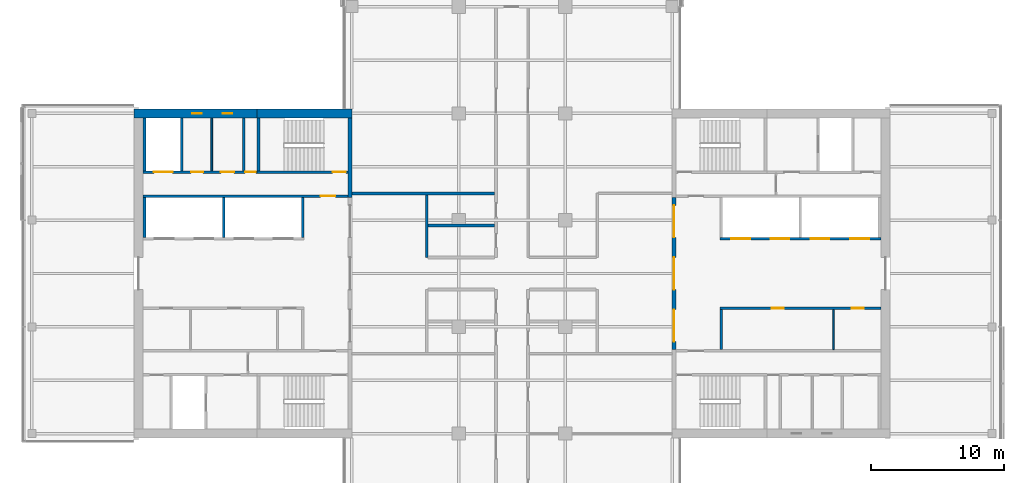
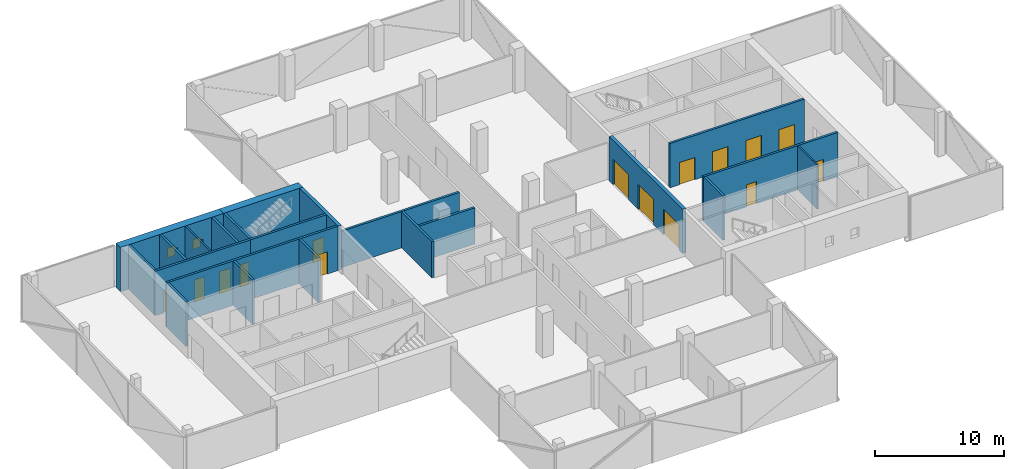
# One storey, part 15 of 22: 22 walls, 15 doors, 2 windows, 17 openings.
"""IFC4 building model written with IfcOpenShell, lengths in metres."""

from ifc_helpers import new_model, si_unit, direction, frame, frame_2d, origin, place, context, subcontext, project, spatial, rectangle, extrude, material, layer, layer_set, constituent, constituent_set, type_object, element, fill, save


model = new_model("IFC4")

# Units and contexts
model_context = context("Model", 3, precision=1e-05, world=origin(), true_north=direction((0.0, 1.0)))
body_context = subcontext(model_context, "Body", "Model", "MODEL_VIEW")
ifc_project = project(units=[si_unit("LENGTHUNIT", "METRE"), si_unit("AREAUNIT", "SQUARE_METRE"), si_unit("VOLUMEUNIT", "CUBIC_METRE"), si_unit("PLANEANGLEUNIT", "RADIAN"), si_unit("MASSUNIT", "GRAM", prefix="KILO")], contexts=[model_context])

# Site, building, storey
site_placement = place(None, origin())
site = spatial("IfcSite", under=ifc_project, at=site_placement, CompositionType="ELEMENT")
building_placement = place(site_placement, origin())
building = spatial("IfcBuilding", under=site, at=building_placement, Name="Crosswind Convention Tower", CompositionType="ELEMENT")
storey_placement = place(building_placement, frame((0.0, 0.0, 121.10009765625)))
storey = spatial("IfcBuildingStorey", under=building, at=storey_placement, Name="L24", CompositionType="ELEMENT", Elevation=121.10009765625)

# Walls
ifc_material_1 = material(Name="Concrete blockwork", Category="masonry")
ifc_layer_1 = layer(ifc_material_1, 0.199951171875)
ifc_layer_set_1 = layer_set([ifc_layer_1], Name="Blockwork partition wall 200")
wall_type_1 = type_object("IfcWallType", Name="Blockwork partition wall 200", PredefinedType="PARTITIONING", material=ifc_layer_set_1)
wall_1_placement = place(storey_placement, frame((104.89990234375, 111.64990234375, 0.0), z_axis=(0.0, 0.0, 1.0), x_axis=(0.0, -1.0, 0.0)))
element("IfcWall", 1, at=wall_1_placement, inside=storey, type_object=wall_type_1, Name="Wall MRSE W L24", PredefinedType="PARTITIONING", context=body_context, shape_type="SweptSolid", body=[
    extrude(rectangle(XDim=3.949951171875, YDim=0.199951171875, at=frame_2d((1.97509765625, 0.0))), origin(), (0.0, 0.0, 1.0), 4.199951171875),
])
ifc_layer_2 = layer(ifc_material_1, 0.199951171875)
ifc_layer_set_2 = layer_set([ifc_layer_2], Name="COMPARTMENT WALL 200 BLOCKWORK")
wall_type_2 = type_object("IfcWallType", Name="COMPARTMENT WALL 200 BLOCKWORK", PredefinedType="SOLIDWALL", material=ifc_layer_set_2)
wall_2_placement = place(storey_placement, frame((118.60009765625, 101.199951171875, 0.0), z_axis=(0.0, 0.0, 1.0), x_axis=(0.0, 1.0, 0.0)))
element("IfcWall", 2, at=wall_2_placement, inside=storey, type_object=wall_type_2, Name="Compartment wall WT42", PredefinedType="SOLIDWALL", context=body_context, shape_type="SweptSolid", body=[
    extrude(rectangle(XDim=4.699951171875, YDim=0.199951171875, at=frame_2d((2.35009765625, 0.0))), origin(), (0.0, 0.0, 1.0), 3.436279296875),
])
wall_3_placement = place(storey_placement, frame((118.699951171875, 103.60009765625, 0.0), z_axis=(0.0, 0.0, 1.0), x_axis=(1.0, 0.0, 0.0)))
element("IfcWall", 3, at=wall_3_placement, inside=storey, type_object=wall_type_2, Name="Compartment wall WT42", PredefinedType="SOLIDWALL", context=body_context, shape_type="SweptSolid", body=[
    extrude(rectangle(XDim=5.0, YDim=0.199951171875, at=frame_2d((2.5, 0.0))), origin(), (0.0, 0.0, 1.0), 3.436279296875),
])
wall_4_placement = place(storey_placement, frame((113.0, 106.0, 0.0), z_axis=(0.0, 0.0, 1.0), x_axis=(1.0, 0.0, 0.0)))
element("IfcWall", 4, at=wall_4_placement, inside=storey, type_object=wall_type_2, Name="Compartment wall WT42", PredefinedType="SOLIDWALL", context=body_context, shape_type="SweptSolid", body=[
    extrude(rectangle(XDim=10.699951171875, YDim=0.199951171875, at=frame_2d((5.35009765625, 0.0))), origin(), (0.0, 0.0, 1.0), 3.436279296875),
])

# Wall, openings, doors
ifc_material_2 = material(Name="Concrete C50/60", Category="concrete")
ifc_layer_3 = layer(ifc_material_2, 0.300048828125)
ifc_layer_set_3 = layer_set([ifc_layer_3], Name="Concrete C50/60")
wall_type_3 = type_object("IfcWallType", Name="Concrete inner core wall 300", PredefinedType="SHEAR", material=ifc_layer_set_3)
wall_5_placement = place(storey_placement, frame((137.14990234375, 94.300048828125, 0.0), z_axis=(0.0, 0.0, 1.0), x_axis=(0.0, 1.0, 0.0)))
wall_5 = element("IfcWall", 5, at=wall_5_placement, inside=storey, type_object=wall_type_3, Name="Wall SCR E L24", PredefinedType="SHEAR", context=body_context, shape_type="SweptSolid", body=[
    extrude(rectangle(XDim=11.39990234375, YDim=0.300048828125, at=frame_2d((5.699951171875, 0.0))), origin(), (0.0, 0.0, 1.0), 4.199951171875),
])
opening_1_placement = place(wall_5_placement, frame((0.60009765625, 0.0, 0.0)))
opening_1 = element("IfcOpeningElement", 6, at=opening_1_placement, cuts=wall_5, Name="Opening D100", PredefinedType="OPENING", context=body_context, shape_type="SweptSolid", body=[
    extrude(rectangle(XDim=2.39990234375, YDim=2.39990234375, at=frame_2d((1.199951171875, 1.199951171875))), frame((0.0, 0.159912109375, 0.0), z_axis=(0.0, -1.0, 0.0), x_axis=(1.0, 0.0, 0.0)), (0.0, 0.0, 1.0), 0.320068359375),
])
opening_2_placement = place(wall_5_placement, frame((4.5, 0.0, 0.0)))
opening_2 = element("IfcOpeningElement", 7, at=opening_2_placement, cuts=wall_5, Name="Opening D100", PredefinedType="OPENING", context=body_context, shape_type="SweptSolid", body=[
    extrude(rectangle(XDim=2.39990234375, YDim=2.39990234375, at=frame_2d((1.199951171875, 1.199951171875))), frame((0.0, 0.159912109375, 0.0), z_axis=(0.0, -1.0, 0.0), x_axis=(1.0, 0.0, 0.0)), (0.0, 0.0, 1.0), 0.320068359375),
])
opening_3_placement = place(wall_5_placement, frame((8.39990234375, 0.0, 0.0)))
opening_3 = element("IfcOpeningElement", 8, at=opening_3_placement, cuts=wall_5, Name="Opening D100", PredefinedType="OPENING", context=body_context, shape_type="SweptSolid", body=[
    extrude(rectangle(XDim=2.39990234375, YDim=2.39990234375, at=frame_2d((1.199951171875, 1.199951171875))), frame((0.0, 0.159912109375, 0.0), z_axis=(0.0, -1.0, 0.0), x_axis=(1.0, 0.0, 0.0)), (0.0, 0.0, 1.0), 0.320068359375),
])
ifc_material_3 = material(Name="Steel fire door with glazed vision panels", Category="steel")
door_type_1 = type_object("IfcDoorType", Name="Fire-rated double door 2400x2400", OperationType="DOUBLE_DOOR_SINGLE_SWING", PredefinedType="DOOR", material=ifc_material_3)
door_1_placement = place(opening_1_placement, origin())
door_1 = element("IfcDoor", 9, at=door_1_placement, inside=storey, type_object=door_type_1, Name="Lobby door 1 L24", ObjectType="D100", OperationType="DOUBLE_DOOR_SINGLE_SWING", OverallHeight=2.39990234375, OverallWidth=2.39990234375, PredefinedType="DOOR", context=body_context, shape_type="SweptSolid", body=[
    extrude(rectangle(XDim=2.39990234375, YDim=2.39990234375, at=frame_2d((1.199951171875, 1.199951171875))), frame((0.0, 0.02490234375, 0.0), z_axis=(0.0, -1.0, 0.0), x_axis=(1.0, 0.0, 0.0)), (0.0, 0.0, 1.0), 0.050048828125),
])
fill(opening_1, door_1)
door_2_placement = place(opening_2_placement, origin())
door_2 = element("IfcDoor", 10, at=door_2_placement, inside=storey, type_object=door_type_1, Name="Lobby door 2 L24", ObjectType="D100", OperationType="DOUBLE_DOOR_SINGLE_SWING", OverallHeight=2.39990234375, OverallWidth=2.39990234375, PredefinedType="DOOR", context=body_context, shape_type="SweptSolid", body=[
    extrude(rectangle(XDim=2.39990234375, YDim=2.39990234375, at=frame_2d((1.199951171875, 1.199951171875))), frame((0.0, 0.02490234375, 0.0), z_axis=(0.0, -1.0, 0.0), x_axis=(1.0, 0.0, 0.0)), (0.0, 0.0, 1.0), 0.050048828125),
])
fill(opening_2, door_2)
door_3_placement = place(opening_3_placement, origin())
door_3 = element("IfcDoor", 11, at=door_3_placement, inside=storey, type_object=door_type_1, Name="Lobby door 3 L24", ObjectType="D100", OperationType="DOUBLE_DOOR_SINGLE_SWING", OverallHeight=2.39990234375, OverallWidth=2.39990234375, PredefinedType="DOOR", context=body_context, shape_type="SweptSolid", body=[
    extrude(rectangle(XDim=2.39990234375, YDim=2.39990234375, at=frame_2d((1.199951171875, 1.199951171875))), frame((0.0, 0.02490234375, 0.0), z_axis=(0.0, -1.0, 0.0), x_axis=(1.0, 0.0, 0.0)), (0.0, 0.0, 1.0), 0.050048828125),
])
fill(opening_3, door_3)

# Wall
wall_6_placement = place(storey_placement, frame((112.85009765625, 111.64990234375, 0.0), z_axis=(0.0, 0.0, 1.0), x_axis=(0.0, -1.0, 0.0)))
element("IfcWall", 12, at=wall_6_placement, inside=storey, type_object=wall_type_3, Name="Wall EM W L24", PredefinedType="SHEAR", context=body_context, shape_type="SweptSolid", body=[
    extrude(rectangle(XDim=5.949951171875, YDim=0.300048828125, at=frame_2d((2.97509765625, 0.0))), origin(), (0.0, 0.0, 1.0), 4.199951171875),
])

# Wall, openings, doors
ifc_layer_4 = layer(ifc_material_2, 0.199951171875)
ifc_layer_set_4 = layer_set([ifc_layer_4], Name="Concrete C50/60")
wall_type_4 = type_object("IfcWallType", Name="Concrete shaft and stair wall 200", PredefinedType="SHEAR", material=ifc_layer_set_4)
wall_7_placement = place(storey_placement, frame((140.60009765625, 102.60009765625, 0.0), z_axis=(0.0, 0.0, 1.0), x_axis=(1.0, 0.0, 0.0)))
wall_7 = element("IfcWall", 13, at=wall_7_placement, inside=storey, type_object=wall_type_4, Name="Wall RPFRONT E L24", PredefinedType="SHEAR", context=body_context, shape_type="SweptSolid", body=[
    extrude(rectangle(XDim=12.0498046875, YDim=0.199951171875, at=frame_2d((6.02490234375, 0.0))), origin(), (0.0, 0.0, 1.0), 4.199951171875),
])
opening_4_placement = place(wall_7_placement, frame((0.85009765625, 0.0, 0.0)))
opening_4 = element("IfcOpeningElement", 14, at=opening_4_placement, cuts=wall_7, Name="Opening LD2", PredefinedType="OPENING", context=body_context, shape_type="SweptSolid", body=[
    extrude(rectangle(XDim=1.39990234375, YDim=2.10009765625, at=frame_2d((0.699951171875, 1.050048828125))), frame((0.0, 0.10986328125, 0.0), z_axis=(0.0, -1.0, 0.0), x_axis=(1.0, 0.0, 0.0)), (0.0, 0.0, 1.0), 0.219970703125),
])
opening_5_placement = place(wall_7_placement, frame((3.800048828125, 0.0, 0.0)))
opening_5 = element("IfcOpeningElement", 15, at=opening_5_placement, cuts=wall_7, Name="Opening LD2", PredefinedType="OPENING", context=body_context, shape_type="SweptSolid", body=[
    extrude(rectangle(XDim=1.39990234375, YDim=2.10009765625, at=frame_2d((0.699951171875, 1.050048828125))), frame((0.0, 0.10986328125, 0.0), z_axis=(0.0, -1.0, 0.0), x_axis=(1.0, 0.0, 0.0)), (0.0, 0.0, 1.0), 0.219970703125),
])
opening_6_placement = place(wall_7_placement, frame((6.800048828125, 0.0, 0.0)))
opening_6 = element("IfcOpeningElement", 16, at=opening_6_placement, cuts=wall_7, Name="Opening LD2", PredefinedType="OPENING", context=body_context, shape_type="SweptSolid", body=[
    extrude(rectangle(XDim=1.39990234375, YDim=2.10009765625, at=frame_2d((0.699951171875, 1.050048828125))), frame((0.0, 0.10986328125, 0.0), z_axis=(0.0, -1.0, 0.0), x_axis=(1.0, 0.0, 0.0)), (0.0, 0.0, 1.0), 0.219970703125),
])
opening_7_placement = place(wall_7_placement, frame((9.77490234375, 0.0, 0.0)))
opening_7 = element("IfcOpeningElement", 17, at=opening_7_placement, cuts=wall_7, Name="Opening LD2", PredefinedType="OPENING", context=body_context, shape_type="SweptSolid", body=[
    extrude(rectangle(XDim=1.39990234375, YDim=2.10009765625, at=frame_2d((0.699951171875, 1.050048828125))), frame((0.0, 0.10986328125, 0.0), z_axis=(0.0, -1.0, 0.0), x_axis=(1.0, 0.0, 0.0)), (0.0, 0.0, 1.0), 0.219970703125),
])
ifc_material_4 = material(Name="Stainless steel", Category="steel")
door_type_2 = type_object("IfcDoorType", Name="Lift landing door 1400x2100", OperationType="DOUBLE_DOOR_SLIDING", PredefinedType="DOOR", material=ifc_material_4)
door_4_placement = place(opening_4_placement, origin())
door_4 = element("IfcDoor", 18, at=door_4_placement, inside=storey, type_object=door_type_2, Name="Landing door A1 L24", ObjectType="LD2", OperationType="DOUBLE_DOOR_SLIDING", OverallHeight=2.10009765625, OverallWidth=1.39990234375, PredefinedType="DOOR", context=body_context, shape_type="SweptSolid", body=[
    extrude(rectangle(XDim=1.39990234375, YDim=2.10009765625, at=frame_2d((0.699951171875, 1.050048828125))), frame((0.0, 0.02490234375, 0.0), z_axis=(0.0, -1.0, 0.0), x_axis=(1.0, 0.0, 0.0)), (0.0, 0.0, 1.0), 0.050048828125),
])
fill(opening_4, door_4)
door_5_placement = place(opening_5_placement, origin())
door_5 = element("IfcDoor", 19, at=door_5_placement, inside=storey, type_object=door_type_2, Name="Landing door A2 L24", ObjectType="LD2", OperationType="DOUBLE_DOOR_SLIDING", OverallHeight=2.10009765625, OverallWidth=1.39990234375, PredefinedType="DOOR", context=body_context, shape_type="SweptSolid", body=[
    extrude(rectangle(XDim=1.39990234375, YDim=2.10009765625, at=frame_2d((0.699951171875, 1.050048828125))), frame((0.0, 0.02490234375, 0.0), z_axis=(0.0, -1.0, 0.0), x_axis=(1.0, 0.0, 0.0)), (0.0, 0.0, 1.0), 0.050048828125),
])
fill(opening_5, door_5)
door_6_placement = place(opening_6_placement, origin())
door_6 = element("IfcDoor", 20, at=door_6_placement, inside=storey, type_object=door_type_2, Name="Landing door A3 L24", ObjectType="LD2", OperationType="DOUBLE_DOOR_SLIDING", OverallHeight=2.10009765625, OverallWidth=1.39990234375, PredefinedType="DOOR", context=body_context, shape_type="SweptSolid", body=[
    extrude(rectangle(XDim=1.39990234375, YDim=2.10009765625, at=frame_2d((0.699951171875, 1.050048828125))), frame((0.0, 0.02490234375, 0.0), z_axis=(0.0, -1.0, 0.0), x_axis=(1.0, 0.0, 0.0)), (0.0, 0.0, 1.0), 0.050048828125),
])
fill(opening_6, door_6)
door_7_placement = place(opening_7_placement, origin())
door_7 = element("IfcDoor", 21, at=door_7_placement, inside=storey, type_object=door_type_2, Name="Landing door A4 L24", ObjectType="LD2", OperationType="DOUBLE_DOOR_SLIDING", OverallHeight=2.10009765625, OverallWidth=1.39990234375, PredefinedType="DOOR", context=body_context, shape_type="SweptSolid", body=[
    extrude(rectangle(XDim=1.39990234375, YDim=2.10009765625, at=frame_2d((0.699951171875, 1.050048828125))), frame((0.0, 0.02490234375, 0.0), z_axis=(0.0, -1.0, 0.0), x_axis=(1.0, 0.0, 0.0)), (0.0, 0.0, 1.0), 0.050048828125),
])
fill(opening_7, door_7)

# Wall
wall_8_placement = place(storey_placement, frame((140.699951171875, 94.300048828125, 0.0), z_axis=(0.0, 0.0, 1.0), x_axis=(0.0, 1.0, 0.0)))
element("IfcWall", 22, at=wall_8_placement, inside=storey, type_object=wall_type_4, Name="Wall RMEND E L24", PredefinedType="SHEAR", context=body_context, shape_type="SweptSolid", body=[
    extrude(rectangle(XDim=3.0, YDim=0.199951171875, at=frame_2d((1.5, 0.0))), origin(), (0.0, 0.0, 1.0), 4.199951171875),
])

# Wall, openings, doors
wall_9_placement = place(storey_placement, frame((140.60009765625, 97.39990234375, 0.0), z_axis=(0.0, 0.0, 1.0), x_axis=(1.0, 0.0, 0.0)))
wall_9 = element("IfcWall", 23, at=wall_9_placement, inside=storey, type_object=wall_type_4, Name="Wall RMFRONT E L24", PredefinedType="SHEAR", context=body_context, shape_type="SweptSolid", body=[
    extrude(rectangle(XDim=12.0498046875, YDim=0.199951171875, at=frame_2d((6.02490234375, 0.0))), origin(), (0.0, 0.0, 1.0), 4.199951171875),
])
opening_8_placement = place(wall_9_placement, frame((3.8662109375, 0.0, 0.0)))
opening_8 = element("IfcOpeningElement", 24, at=opening_8_placement, cuts=wall_9, Name="Opening D106", PredefinedType="OPENING", context=body_context, shape_type="SweptSolid", body=[
    extrude(rectangle(XDim=0.89990234375, YDim=2.10009765625, at=frame_2d((0.449951171875, 1.050048828125))), frame((0.0, 0.10986328125, 0.0), z_axis=(0.0, -1.0, 0.0), x_axis=(1.0, 0.0, 0.0)), (0.0, 0.0, 1.0), 0.219970703125),
])
opening_9_placement = place(wall_9_placement, frame((9.853759765625, 0.0, 0.0)))
opening_9 = element("IfcOpeningElement", 25, at=opening_9_placement, cuts=wall_9, Name="Opening D106", PredefinedType="OPENING", context=body_context, shape_type="SweptSolid", body=[
    extrude(rectangle(XDim=0.89990234375, YDim=2.10009765625, at=frame_2d((0.449951171875, 1.050048828125))), frame((0.0, 0.10986328125, 0.0), z_axis=(0.0, -1.0, 0.0), x_axis=(1.0, 0.0, 0.0)), (0.0, 0.0, 1.0), 0.219970703125),
])
ifc_material_5 = material(Name="Timber door", Category="wood")
door_type_3 = type_object("IfcDoorType", Name="Single leaf door 900x2100", OperationType="NOTDEFINED", PredefinedType="DOOR", material=ifc_material_5)
door_8_placement = place(opening_8_placement, frame((0.89990234375, 0.0, 0.0), z_axis=(0.0, 0.0, 1.0), x_axis=(-1.0, 0.0, 0.0)))
door_8 = element("IfcDoor", 26, at=door_8_placement, inside=storey, type_object=door_type_3, Name="Door to pantry L24", ObjectType="D106", OperationType="SINGLE_SWING_LEFT", OverallHeight=2.10009765625, OverallWidth=0.89990234375, PredefinedType="DOOR", context=body_context, shape_type="SweptSolid", body=[
    extrude(rectangle(XDim=0.89990234375, YDim=2.10009765625, at=frame_2d((0.449951171875, 1.050048828125))), frame((0.0, 0.02490234375, 0.0), z_axis=(0.0, -1.0, 0.0), x_axis=(1.0, 0.0, 0.0)), (0.0, 0.0, 1.0), 0.050048828125),
])
fill(opening_8, door_8)
door_9_placement = place(opening_9_placement, frame((0.89990234375, 0.0, 0.0), z_axis=(0.0, 0.0, 1.0), x_axis=(-1.0, 0.0, 0.0)))
door_9 = element("IfcDoor", 27, at=door_9_placement, inside=storey, type_object=door_type_3, Name="Door to telecoms room L24", ObjectType="D106", OperationType="SINGLE_SWING_LEFT", OverallHeight=2.10009765625, OverallWidth=0.89990234375, PredefinedType="DOOR", context=body_context, shape_type="SweptSolid", body=[
    extrude(rectangle(XDim=0.89990234375, YDim=2.10009765625, at=frame_2d((0.449951171875, 1.050048828125))), frame((0.0, 0.02490234375, 0.0), z_axis=(0.0, -1.0, 0.0), x_axis=(1.0, 0.0, 0.0)), (0.0, 0.0, 1.0), 0.050048828125),
])
fill(opening_9, door_9)

# Walls
for number, where, z_axis, x_axis, name in (
    (28, (109.300048828125, 105.699951171875, 0.0), (0.0, 0.0, 1.0), (0.0, -1.0, 0.0), "Wall RMEND W L24"),
    (29, (103.39990234375, 105.699951171875, 0.0), (0.0, 0.0, 1.0), (0.0, -1.0, 0.0), "Wall RMSEP W L24"),
    (30, (97.449951171875, 105.699951171875, 0.0), (0.0, 0.0, 1.0), (0.0, -1.0, 0.0), "Wall RMEAST W L24"),
):
    element("IfcWall", number, at=place(storey_placement, frame(where, z_axis=z_axis, x_axis=x_axis)), inside=storey, type_object=wall_type_4, Name=name, PredefinedType="SHEAR", context=body_context, shape_type="SweptSolid", body=[
        extrude(rectangle(XDim=3.0, YDim=0.199951171875, at=frame_2d((1.5, 0.0))), origin(), (0.0, 0.0, 1.0), 4.199951171875),
    ])

# Wall, opening, door
wall_10_placement = place(storey_placement, frame((112.699951171875, 105.800048828125, 0.0), z_axis=(0.0, 0.0, 1.0), x_axis=(-1.0, 0.0, 0.0)))
wall_10 = element("IfcWall", 31, at=wall_10_placement, inside=storey, type_object=wall_type_4, Name="Wall HM W L24", PredefinedType="SHEAR", context=body_context, shape_type="SweptSolid", body=[
    extrude(rectangle(XDim=15.349853515625, YDim=0.199951171875, at=frame_2d((7.6748046875, 0.0))), origin(), (0.0, 0.0, 1.0), 4.199951171875),
])
opening_10_placement = place(wall_10_placement, frame((0.949951171875, 0.0, 0.0)))
opening_10 = element("IfcOpeningElement", 32, at=opening_10_placement, cuts=wall_10, Name="Opening D104", PredefinedType="OPENING", context=body_context, shape_type="SweptSolid", body=[
    extrude(rectangle(XDim=1.10009765625, YDim=2.10009765625, at=frame_2d((0.550048828125, 1.050048828125))), frame((0.0, 0.10986328125, 0.0), z_axis=(0.0, -1.0, 0.0), x_axis=(1.0, 0.0, 0.0)), (0.0, 0.0, 1.0), 0.219970703125),
])
ifc_material_6 = material(Name="Steel fire door", Category="steel")
door_type_4 = type_object("IfcDoorType", Name="Fire-rated single door 1100x2100", OperationType="NOTDEFINED", PredefinedType="DOOR", material=ifc_material_6)
door_10_placement = place(opening_10_placement, origin())
door_10 = element("IfcDoor", 33, at=door_10_placement, inside=storey, type_object=door_type_4, Name="Corridor door L24", ObjectType="D104", OperationType="SINGLE_SWING_LEFT", OverallHeight=2.10009765625, OverallWidth=1.10009765625, PredefinedType="DOOR", context=body_context, shape_type="SweptSolid", body=[
    extrude(rectangle(XDim=1.10009765625, YDim=2.10009765625, at=frame_2d((0.550048828125, 1.050048828125))), frame((0.0, 0.02490234375, 0.0), z_axis=(0.0, -1.0, 0.0), x_axis=(1.0, 0.0, 0.0)), (0.0, 0.0, 1.0), 0.050048828125),
])
fill(opening_10, door_10)

# Walls
for number, where, z_axis, x_axis, name in (
    (34, (106.0, 111.64990234375, 0.0), (0.0, 0.0, 1.0), (0.0, -1.0, 0.0), "Wall MSE W L24"),
    (35, (100.25, 111.64990234375, 0.0), (0.0, 0.0, 1.0), (0.0, -1.0, 0.0), "Wall MFSW W L24"),
    (36, (97.449951171875, 111.64990234375, 0.0), (0.0, 0.0, 1.0), (0.0, -1.0, 0.0), "Wall MFSE W L24"),
):
    element("IfcWall", number, at=place(storey_placement, frame(where, z_axis=z_axis, x_axis=x_axis)), inside=storey, type_object=wall_type_4, Name=name, PredefinedType="SHEAR", context=body_context, shape_type="SweptSolid", body=[
        extrude(rectangle(XDim=3.949951171875, YDim=0.199951171875, at=frame_2d((1.97509765625, 0.0))), origin(), (0.0, 0.0, 1.0), 4.199951171875),
    ])

# Wall, opening, door
wall_11_placement = place(storey_placement, frame((112.699951171875, 107.60009765625, 0.0), z_axis=(0.0, 0.0, 1.0), x_axis=(-1.0, 0.0, 0.0)))
wall_11 = element("IfcWall", 37, at=wall_11_placement, inside=storey, type_object=wall_type_4, Name="Wall MCW W L24", PredefinedType="SHEAR", context=body_context, shape_type="SweptSolid", body=[
    extrude(rectangle(XDim=6.800048828125, YDim=0.199951171875, at=frame_2d((3.39990234375, 0.0))), origin(), (0.0, 0.0, 1.0), 4.199951171875),
])
opening_11_placement = place(wall_11_placement, frame((0.14990234375, 0.0, 0.0)))
opening_11 = element("IfcOpeningElement", 38, at=opening_11_placement, cuts=wall_11, Name="Opening D103", PredefinedType="OPENING", context=body_context, shape_type="SweptSolid", body=[
    extrude(rectangle(XDim=1.0, YDim=2.10009765625, at=frame_2d((0.5, 1.050048828125))), frame((0.0, 0.10986328125, 0.0), z_axis=(0.0, -1.0, 0.0), x_axis=(1.0, 0.0, 0.0)), (0.0, 0.0, 1.0), 0.219970703125),
])
door_type_5 = type_object("IfcDoorType", Name="Fire-rated single door 1000x2100", OperationType="NOTDEFINED", PredefinedType="DOOR", material=ifc_material_6)
door_11_placement = place(opening_11_placement, frame((1.0, 0.0, 0.0), z_axis=(0.0, 0.0, 1.0), x_axis=(-1.0, 0.0, 0.0)))
door_11 = element("IfcDoor", 39, at=door_11_placement, inside=storey, type_object=door_type_5, Name="Stair ST4 door L24", ObjectType="D103", OperationType="SINGLE_SWING_RIGHT", OverallHeight=2.10009765625, OverallWidth=1.0, PredefinedType="DOOR", context=body_context, shape_type="SweptSolid", body=[
    extrude(rectangle(XDim=1.0, YDim=2.10009765625, at=frame_2d((0.5, 1.050048828125))), frame((0.0, 0.02490234375, 0.0), z_axis=(0.0, -1.0, 0.0), x_axis=(1.0, 0.0, 0.0)), (0.0, 0.0, 1.0), 0.050048828125),
])
fill(opening_11, door_11)

# Wall, openings, doors
wall_12_placement = place(storey_placement, frame((105.89990234375, 107.60009765625, 0.0), z_axis=(0.0, 0.0, 1.0), x_axis=(-1.0, 0.0, 0.0)))
wall_12 = element("IfcWall", 40, at=wall_12_placement, inside=storey, type_object=wall_type_4, Name="Wall MCX W L24", PredefinedType="SHEAR", context=body_context, shape_type="SweptSolid", body=[
    extrude(rectangle(XDim=8.5498046875, YDim=0.199951171875, at=frame_2d((4.27490234375, 0.0))), origin(), (0.0, 0.0, 1.0), 4.199951171875),
])
opening_12_placement = place(wall_12_placement, frame((0.10009765625, 0.0, 0.0)))
opening_12 = element("IfcOpeningElement", 41, at=opening_12_placement, cuts=wall_12, Name="Opening D105", PredefinedType="OPENING", context=body_context, shape_type="SweptSolid", body=[
    extrude(rectangle(XDim=0.800048828125, YDim=2.10009765625, at=frame_2d((0.39990234375, 1.050048828125))), frame((0.0, 0.10986328125, 0.0), z_axis=(0.0, -1.0, 0.0), x_axis=(1.0, 0.0, 0.0)), (0.0, 0.0, 1.0), 0.219970703125),
])
opening_13_placement = place(wall_12_placement, frame((1.725830078125, 0.0, 0.0)))
opening_13 = element("IfcOpeningElement", 42, at=opening_13_placement, cuts=wall_12, Name="Opening D103", PredefinedType="OPENING", context=body_context, shape_type="SweptSolid", body=[
    extrude(rectangle(XDim=1.0, YDim=2.10009765625, at=frame_2d((0.5, 1.050048828125))), frame((0.0, 0.10986328125, 0.0), z_axis=(0.0, -1.0, 0.0), x_axis=(1.0, 0.0, 0.0)), (0.0, 0.0, 1.0), 0.219970703125),
])
opening_14_placement = place(wall_12_placement, frame((4.063232421875, 0.0, 0.0)))
opening_14 = element("IfcOpeningElement", 43, at=opening_14_placement, cuts=wall_12, Name="Opening D106", PredefinedType="OPENING", context=body_context, shape_type="SweptSolid", body=[
    extrude(rectangle(XDim=0.89990234375, YDim=2.10009765625, at=frame_2d((0.449951171875, 1.050048828125))), frame((0.0, 0.10986328125, 0.0), z_axis=(0.0, -1.0, 0.0), x_axis=(1.0, 0.0, 0.0)), (0.0, 0.0, 1.0), 0.219970703125),
])
opening_15_placement = place(wall_12_placement, frame((6.35009765625, 0.0, 0.0)))
opening_15 = element("IfcOpeningElement", 44, at=opening_15_placement, cuts=wall_12, Name="Opening LD2", PredefinedType="OPENING", context=body_context, shape_type="SweptSolid", body=[
    extrude(rectangle(XDim=1.39990234375, YDim=2.10009765625, at=frame_2d((0.699951171875, 1.050048828125))), frame((0.0, 0.10986328125, 0.0), z_axis=(0.0, -1.0, 0.0), x_axis=(1.0, 0.0, 0.0)), (0.0, 0.0, 1.0), 0.219970703125),
])
door_12_placement = place(opening_13_placement, frame((1.0, 0.0, 0.0), z_axis=(0.0, 0.0, 1.0), x_axis=(-1.0, 0.0, 0.0)))
door_12 = element("IfcDoor", 45, at=door_12_placement, inside=storey, type_object=door_type_5, Name="Door to accessible wc L24", ObjectType="D103", OperationType="SINGLE_SWING_LEFT", OverallHeight=2.10009765625, OverallWidth=1.0, PredefinedType="DOOR", context=body_context, shape_type="SweptSolid", body=[
    extrude(rectangle(XDim=1.0, YDim=2.10009765625, at=frame_2d((0.5, 1.050048828125))), frame((0.0, 0.02490234375, 0.0), z_axis=(0.0, -1.0, 0.0), x_axis=(1.0, 0.0, 0.0)), (0.0, 0.0, 1.0), 0.050048828125),
])
fill(opening_13, door_12)
door_13_placement = place(opening_15_placement, origin())
door_13 = element("IfcDoor", 46, at=door_13_placement, inside=storey, type_object=door_type_2, Name="Landing door SV2 L24", ObjectType="LD2", OperationType="DOUBLE_DOOR_SLIDING", OverallHeight=2.10009765625, OverallWidth=1.39990234375, PredefinedType="DOOR", context=body_context, shape_type="SweptSolid", body=[
    extrude(rectangle(XDim=1.39990234375, YDim=2.10009765625, at=frame_2d((0.699951171875, 1.050048828125))), frame((0.0, 0.02490234375, 0.0), z_axis=(0.0, -1.0, 0.0), x_axis=(1.0, 0.0, 0.0)), (0.0, 0.0, 1.0), 0.050048828125),
])
fill(opening_15, door_13)
door_type_6 = type_object("IfcDoorType", Name="Riser access door 800x2100", OperationType="NOTDEFINED", PredefinedType="DOOR", material=ifc_material_6)
door_14_placement = place(opening_12_placement, frame((0.800048828125, 0.0, 0.0), z_axis=(0.0, 0.0, 1.0), x_axis=(-1.0, 0.0, 0.0)))
door_14 = element("IfcDoor", 47, at=door_14_placement, inside=storey, type_object=door_type_6, Name="Riser door L24", ObjectType="D105", OperationType="SINGLE_SWING_LEFT", OverallHeight=2.10009765625, OverallWidth=0.800048828125, PredefinedType="DOOR", context=body_context, shape_type="SweptSolid", body=[
    extrude(rectangle(XDim=0.800048828125, YDim=2.10009765625, at=frame_2d((0.39990234375, 1.050048828125))), frame((0.0, 0.02490234375, 0.0), z_axis=(0.0, -1.0, 0.0), x_axis=(1.0, 0.0, 0.0)), (0.0, 0.0, 1.0), 0.050048828125),
])
fill(opening_12, door_14)
door_15_placement = place(opening_14_placement, frame((0.89990234375, 0.0, 0.0), z_axis=(0.0, 0.0, 1.0), x_axis=(-1.0, 0.0, 0.0)))
door_15 = element("IfcDoor", 48, at=door_15_placement, inside=storey, type_object=door_type_3, Name="Door to wc L24", ObjectType="D106", OperationType="SINGLE_SWING_LEFT", OverallHeight=2.10009765625, OverallWidth=0.89990234375, PredefinedType="DOOR", context=body_context, shape_type="SweptSolid", body=[
    extrude(rectangle(XDim=0.89990234375, YDim=2.10009765625, at=frame_2d((0.449951171875, 1.050048828125))), frame((0.0, 0.02490234375, 0.0), z_axis=(0.0, -1.0, 0.0), x_axis=(1.0, 0.0, 0.0)), (0.0, 0.0, 1.0), 0.050048828125),
])
fill(opening_14, door_15)

# Walls
ifc_material_7 = material(Name="Gypsum plasterboard partition", Category="gypsum")
ifc_layer_5 = layer(ifc_material_7, 0.125)
ifc_layer_set_5 = layer_set([ifc_layer_5], Name="Drywall partition wall 125")
wall_type_5 = type_object("IfcWallType", Name="Drywall partition wall 125", PredefinedType="PARTITIONING", material=ifc_layer_set_5)
wall_13_placement = place(storey_placement, frame((149.094970703125, 94.300048828125, 0.0), z_axis=(0.0, 0.0, 1.0), x_axis=(0.0, 1.0, 0.0)))
element("IfcWall", 49, at=wall_13_placement, inside=storey, type_object=wall_type_5, Name="Wall RMP1 E L24", PredefinedType="PARTITIONING", context=body_context, shape_type="SweptSolid", body=[
    extrude(rectangle(XDim=3.0, YDim=0.125, at=frame_2d((1.5, 0.0))), origin(), (0.0, 0.0, 1.0), 4.199951171875),
])
wall_14_placement = place(storey_placement, frame((102.486083984375, 111.64990234375, 0.0), z_axis=(0.0, 0.0, 1.0), x_axis=(0.0, -1.0, 0.0)))
element("IfcWall", 50, at=wall_14_placement, inside=storey, type_object=wall_type_5, Name="Wall MWP1 W L24", PredefinedType="PARTITIONING", context=body_context, shape_type="SweptSolid", body=[
    extrude(rectangle(XDim=3.949951171875, YDim=0.125, at=frame_2d((1.97509765625, 0.0))), origin(), (0.0, 0.0, 1.0), 4.199951171875),
])
ifc_material_8 = material(Name="Concrete C60/75", Category="concrete")
ifc_constituent_1 = constituent(ifc_material_8, Name="Structure")
ifc_material_9 = material(Name="Terracotta rainscreen", Category="ceramic")
ifc_constituent_2 = constituent(ifc_material_9, Name="Facing")
ifc_constituent_set = constituent_set(constituents=[ifc_constituent_1, ifc_constituent_2], Name="Concrete C60/75, Terracotta rainscreen")
wall_type_6 = type_object("IfcWallType", Name="Terracotta rainscreen on concrete core wall 700", PredefinedType="SHEAR", material=ifc_constituent_set)
wall_15_placement = place(storey_placement, frame((113.0, 112.0, 0.0), z_axis=(0.0, 0.0, 1.0), x_axis=(-1.0, 0.0, 0.0)))
element("IfcWall", 51, at=wall_15_placement, inside=storey, type_object=wall_type_6, Name="Wall S1 W L24", PredefinedType="SHEAR", context=body_context, shape_type="SweptSolid", body=[
    extrude(rectangle(XDim=7.10009765625, YDim=0.699951171875, at=frame_2d((3.550048828125, 0.0))), origin(), (0.0, 0.0, 1.0), 4.199951171875),
])

# Wall, openings, windows
wall_16_placement = place(storey_placement, frame((105.89990234375, 112.0, 0.0), z_axis=(0.0, 0.0, 1.0), x_axis=(-1.0, 0.0, 0.0)))
wall_16 = element("IfcWall", 52, at=wall_16_placement, inside=storey, type_object=wall_type_6, Name="Wall S2 W L24", PredefinedType="SHEAR", context=body_context, shape_type="SweptSolid", body=[
    extrude(rectangle(XDim=9.25, YDim=0.699951171875, at=frame_2d((4.625, 0.0))), origin(), (0.0, 0.0, 1.0), 4.199951171875),
])
opening_16_placement = place(wall_16_placement, frame((1.875732421875, 0.0, 1.5)))
opening_16 = element("IfcOpeningElement", 53, at=opening_16_placement, cuts=wall_16, Name="Opening W2", PredefinedType="OPENING", context=body_context, shape_type="SweptSolid", body=[
    extrude(rectangle(XDim=0.699951171875, YDim=0.89990234375, at=frame_2d((0.35009765625, 0.449951171875))), frame((0.0, 0.35986328125, 0.0), z_axis=(0.0, -1.0, 0.0), x_axis=(1.0, 0.0, 0.0)), (0.0, 0.0, 1.0), 0.719970703125),
])
opening_17_placement = place(wall_16_placement, frame((4.163330078125, 0.0, 1.5)))
opening_17 = element("IfcOpeningElement", 54, at=opening_17_placement, cuts=wall_16, Name="Opening W2", PredefinedType="OPENING", context=body_context, shape_type="SweptSolid", body=[
    extrude(rectangle(XDim=0.699951171875, YDim=0.89990234375, at=frame_2d((0.35009765625, 0.449951171875))), frame((0.0, 0.35986328125, 0.0), z_axis=(0.0, -1.0, 0.0), x_axis=(1.0, 0.0, 0.0)), (0.0, 0.0, 1.0), 0.719970703125),
])
ifc_material_10 = material(Name="Obscure glass in aluminium frame", Category="aluminium")
window_type = type_object("IfcWindowType", Name="WC window 700x900", PartitioningType="SINGLE_PANEL", PredefinedType="WINDOW", material=ifc_material_10)
window_1_placement = place(opening_16_placement, origin())
window_1 = element("IfcWindow", 55, at=window_1_placement, inside=storey, type_object=window_type, Name="WC window L24", ObjectType="W2", OverallHeight=0.89990234375, OverallWidth=0.699951171875, PartitioningType="SINGLE_PANEL", PredefinedType="WINDOW", context=body_context, shape_type="SweptSolid", body=[
    extrude(rectangle(XDim=0.699951171875, YDim=0.89990234375, at=frame_2d((0.35009765625, 0.449951171875))), frame((0.0, 0.030029296875, 0.0), z_axis=(0.0, -1.0, 0.0), x_axis=(1.0, 0.0, 0.0)), (0.0, 0.0, 1.0), 0.06005859375),
])
fill(opening_16, window_1)
window_2_placement = place(opening_17_placement, origin())
window_2 = element("IfcWindow", 56, at=window_2_placement, inside=storey, type_object=window_type, Name="WC window L24", ObjectType="W2", OverallHeight=0.89990234375, OverallWidth=0.699951171875, PartitioningType="SINGLE_PANEL", PredefinedType="WINDOW", context=body_context, shape_type="SweptSolid", body=[
    extrude(rectangle(XDim=0.699951171875, YDim=0.89990234375, at=frame_2d((0.35009765625, 0.449951171875))), frame((0.0, 0.030029296875, 0.0), z_axis=(0.0, -1.0, 0.0), x_axis=(1.0, 0.0, 0.0)), (0.0, 0.0, 1.0), 0.06005859375),
])
fill(opening_17, window_2)

save(model, "model.ifc")
